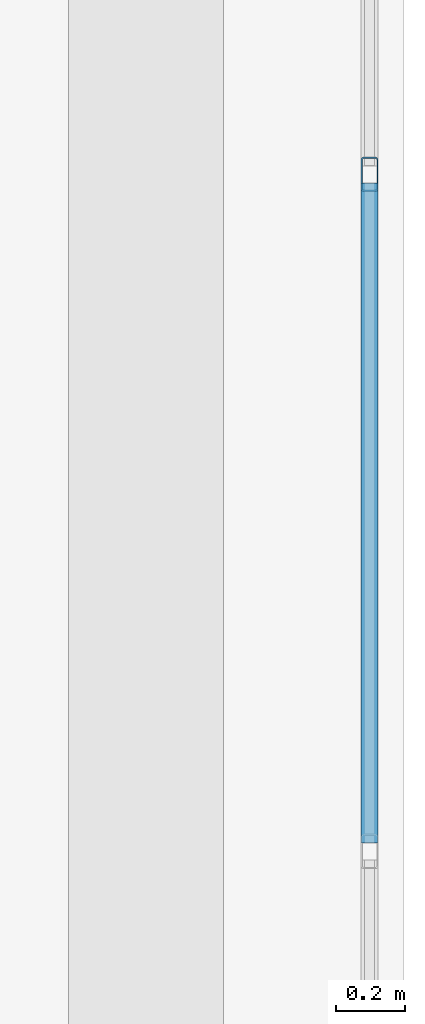
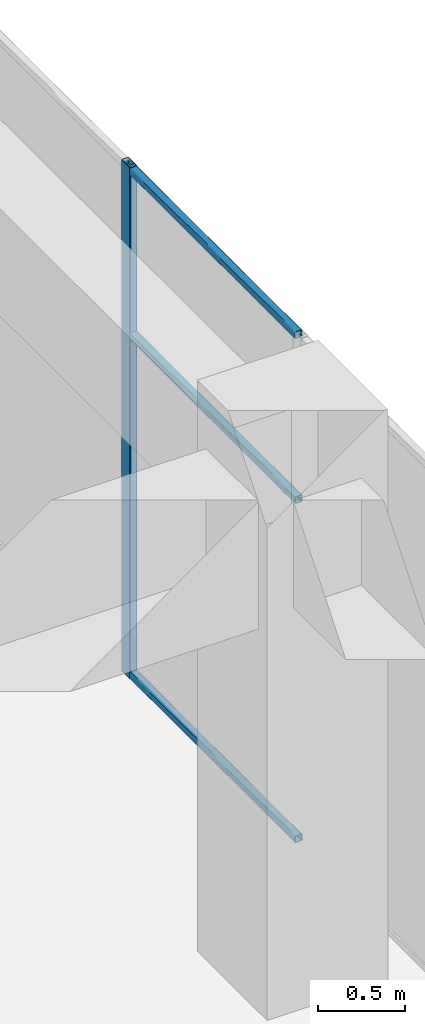
# One storey, part 26 of 52: 4 members, 1 element without a shape of its own.
"""IFC4 building model written with IfcOpenShell, lengths in metres."""

from ifc_helpers import new_model, si_unit, direction, frame, origin, origin_2d, place, context, subcontext, project, spatial, hollow_rectangle, extrude, material, layer, layer_set, material_profile, profile_set, type_object, element, aggregate, save


model = new_model("IFC4")

# Units and contexts
model_context = context("Model", 3, precision=1e-05, world=origin(), true_north=direction((0.0, 1.0)))
body_context = subcontext(model_context, "Body", "Model", "MODEL_VIEW")
ifc_project = project(units=[si_unit("LENGTHUNIT", "METRE"), si_unit("AREAUNIT", "SQUARE_METRE"), si_unit("VOLUMEUNIT", "CUBIC_METRE"), si_unit("PLANEANGLEUNIT", "RADIAN"), si_unit("MASSUNIT", "GRAM", prefix="KILO")], contexts=[model_context])

# Site, building, storey
site_placement = place(None, origin())
site = spatial("IfcSite", under=ifc_project, at=site_placement, CompositionType="ELEMENT")
building_placement = place(site_placement, origin())
building = spatial("IfcBuilding", under=site, at=building_placement, Name="Tuart Plaza Theatre", CompositionType="ELEMENT")
storey_placement = place(building_placement, frame((0.0, 0.0, 25.5)))
storey = spatial("IfcBuildingStorey", under=building, at=storey_placement, Name="L06", CompositionType="ELEMENT", Elevation=25.5)

# Curtain wall, members
ifc_material_1 = material(Name="Aluminium and glass", Category="aluminium")
ifc_layer = layer(ifc_material_1, 0.10009765625)
ifc_layer_set = layer_set([ifc_layer], Name="CURTAIN WALL 2000 module")
curtain_wall_type = type_object("IfcCurtainWallType", Name="CURTAIN WALL 2000 module", PredefinedType="NOTDEFINED", material=ifc_layer_set)
curtain_wall_placement = place(storey_placement, origin())
curtain_wall = element("IfcCurtainWall", 1, at=curtain_wall_placement, inside=storey, type_object=curtain_wall_type, Name="CW78", PredefinedType="NOTDEFINED")
ifc_material_2 = material(Name="Aluminium 6063-T5", Category="aluminium")
ifc_material_profile_1 = material_profile(ifc_material_2, hollow_rectangle(XDim=0.050048828125, YDim=0.10009765625, WallThickness=0.00390625, InnerFilletRadius=0.00390625, OuterFilletRadius=0.008056640625, at=origin_2d()), Name="RHS 100x50x4")
ifc_profile_set_1 = profile_set([ifc_material_profile_1], Name="Aluminium 6063-T5")
member_type_1 = type_object("IfcMemberType", Name="MULLION RHS 100x50x4", PredefinedType="MULLION", material=ifc_profile_set_1)
member_1_placement = place(storey_placement, frame((150.64990234375, 68.0, 0.0), z_axis=(0.0, 0.0, 1.0), x_axis=(-1.0, 0.0, 0.0)))
member_1 = element("IfcMember", 2, at=member_1_placement, type_object=member_type_1, Name="CW78 mullion 9", PredefinedType="MULLION", context=body_context, shape_type="SweptSolid", body=[
    extrude(hollow_rectangle(XDim=0.050048828125, YDim=0.10009765625, WallThickness=0.00390625, InnerFilletRadius=0.00390625, OuterFilletRadius=0.008056640625, at=origin_2d()), origin(), (0.0, 0.0, 1.0), 3.580078125),
])
ifc_material_3 = material(Name="Aluminium 6063-T5", Category="aluminium")
ifc_material_profile_2 = material_profile(ifc_material_3, hollow_rectangle(XDim=0.050048828125, YDim=0.050048828125, WallThickness=0.00390625, InnerFilletRadius=0.00390625, OuterFilletRadius=0.008056640625, at=origin_2d()), Name="RHS 50x50x4")
ifc_profile_set_2 = profile_set([ifc_material_profile_2], Name="Aluminium 6063-T5")
member_type_2 = type_object("IfcMemberType", Name="TRANSOM RHS 50x50x4", PredefinedType="USERDEFINED", material=ifc_profile_set_2)
member_2_placement = place(storey_placement, frame((150.64990234375, 66.05615234375, 0.02490234375), z_axis=(0.0, 1.0, 0.0), x_axis=(-1.0, 0.0, 0.0)))
member_2 = element("IfcMember", 3, at=member_2_placement, type_object=member_type_2, Name="CW78 transom 8.1", ObjectType="TRANSOM", PredefinedType="USERDEFINED", context=body_context, shape_type="SweptSolid", body=[
    extrude(hollow_rectangle(XDim=0.050048828125, YDim=0.050048828125, WallThickness=0.00390625, InnerFilletRadius=0.00390625, OuterFilletRadius=0.008056640625, at=origin_2d()), origin(), (0.0, 0.0, 1.0), 1.9189453125),
])
member_3_placement = place(storey_placement, frame((150.64990234375, 66.05615234375, 2.39990234375), z_axis=(0.0, 1.0, 0.0), x_axis=(-1.0, 0.0, 0.0)))
member_3 = element("IfcMember", 4, at=member_3_placement, type_object=member_type_2, Name="CW78 transom 8.2", ObjectType="TRANSOM", PredefinedType="USERDEFINED", context=body_context, shape_type="SweptSolid", body=[
    extrude(hollow_rectangle(XDim=0.050048828125, YDim=0.050048828125, WallThickness=0.00390625, InnerFilletRadius=0.00390625, OuterFilletRadius=0.008056640625, at=origin_2d()), origin(), (0.0, 0.0, 1.0), 1.9189453125),
])
member_4_placement = place(storey_placement, frame((150.64990234375, 66.05615234375, 3.554931640625), z_axis=(0.0, 1.0, 0.0), x_axis=(-1.0, 0.0, 0.0)))
member_4 = element("IfcMember", 5, at=member_4_placement, type_object=member_type_2, Name="CW78 transom 8.3", ObjectType="TRANSOM", PredefinedType="USERDEFINED", context=body_context, shape_type="SweptSolid", body=[
    extrude(hollow_rectangle(XDim=0.050048828125, YDim=0.050048828125, WallThickness=0.00390625, InnerFilletRadius=0.00390625, OuterFilletRadius=0.008056640625, at=origin_2d()), origin(), (0.0, 0.0, 1.0), 1.9189453125),
])
aggregate(curtain_wall, [member_1, member_2, member_3, member_4])

save(model, "model.ifc")
